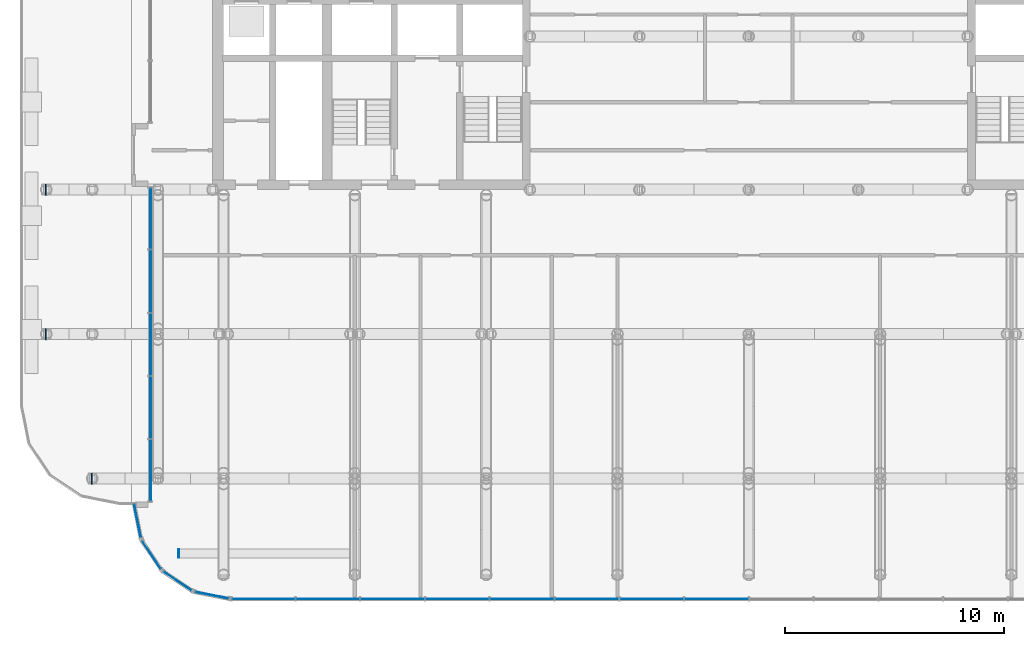
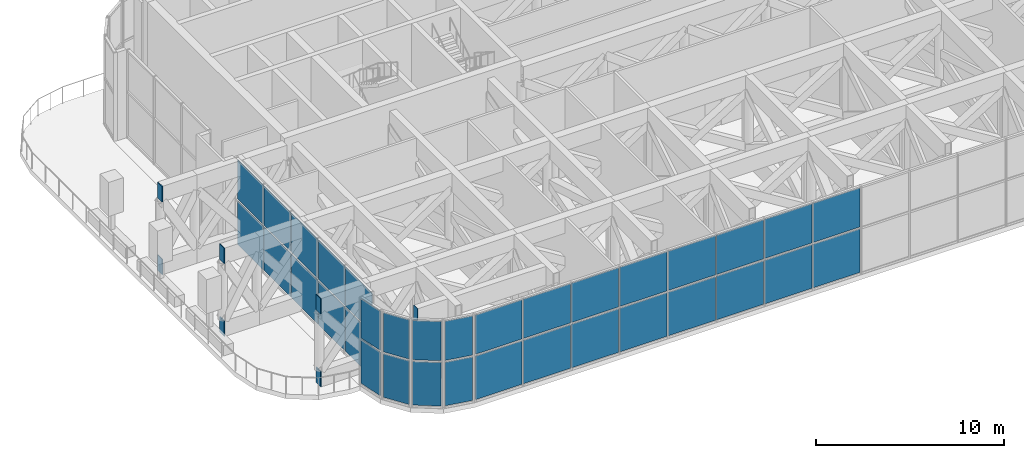
# One storey, part 11 of 25: 41 plates, 6 elements without a shape of their own.
"""IFC4 building model written with IfcOpenShell, lengths in metres."""

from ifc_helpers import new_model, si_unit, direction, frame, origin, origin_2d, place, context, subcontext, project, spatial, rectangle, extrude, material, layer, layer_set, type_object, element, aggregate, save


model = new_model("IFC4")

# Units and contexts
model_context = context("Model", 3, precision=1e-05, world=origin(), true_north=direction((0.0, 1.0)))
body_context = subcontext(model_context, "Body", "Model", "MODEL_VIEW")
ifc_project = project(units=[si_unit("LENGTHUNIT", "METRE"), si_unit("AREAUNIT", "SQUARE_METRE"), si_unit("VOLUMEUNIT", "CUBIC_METRE"), si_unit("PLANEANGLEUNIT", "RADIAN"), si_unit("MASSUNIT", "GRAM", prefix="KILO")], contexts=[model_context])

# Site, building, storey
site_placement = place(None, origin())
site = spatial("IfcSite", under=ifc_project, at=site_placement, CompositionType="ELEMENT")
building_placement = place(site_placement, origin())
building = spatial("IfcBuilding", under=site, at=building_placement, Name="Torana Hotel and Residences", CompositionType="ELEMENT")
storey_placement = place(building_placement, frame((0.0, 0.0, 106.800048828125)))
storey = spatial("IfcBuildingStorey", under=building, at=storey_placement, Name="L27", CompositionType="ELEMENT", Elevation=106.800048828125)

# Curtain wall, plates
ifc_material_1 = material(Name="Dark anodised aluminium", Category="aluminium")
ifc_layer_1 = layer(ifc_material_1, 0.199951171875)
ifc_layer_set_1 = layer_set([ifc_layer_1], Name="CW2 SKY LOBBY UNITISED CURTAIN WALL")
curtain_wall_type = type_object("IfcCurtainWallType", Name="CW2 SKY LOBBY UNITISED CURTAIN WALL", PredefinedType="NOTDEFINED", material=ifc_layer_set_1)
curtain_wall_1_placement = place(storey_placement, origin())
curtain_wall_1 = element("IfcCurtainWall", 1, at=curtain_wall_1_placement, inside=storey, type_object=curtain_wall_type, Name="Curtain wall CW2 L27 e0.9-2", PredefinedType="NOTDEFINED")
ifc_material_2 = material(Name="Glass dark tinted double glazed unit", Category="glass")
ifc_layer_2 = layer(ifc_material_2, 0.031982421875)
ifc_layer_set_2 = layer_set([ifc_layer_2], Name="CW2 DARK GLASS PANEL 32")
plate_type_1 = type_object("IfcPlateType", Name="CW2 DARK GLASS PANEL 32", PredefinedType="CURTAIN_PANEL", material=ifc_layer_set_2)
plate_1_placement = place(storey_placement, frame((-27.330078125, -16.317626953125, 0.1201171875), z_axis=(0.0, 0.0, 1.0), x_axis=(0.0, -1.0, 0.0)))
plate_1 = element("IfcPlate", 2, at=plate_1_placement, type_object=plate_type_1, Name="CW2 panel 1.1", PredefinedType="CURTAIN_PANEL", context=body_context, shape_type="SweptSolid", body=[
    extrude(rectangle(XDim=2.7783203125, YDim=0.031982421875, at=origin_2d()), origin(), (0.0, 0.0, 1.0), 2.820068359375),
])
plate_2_placement = place(storey_placement, frame((-27.330078125, -16.317626953125, 3.059814453125), z_axis=(0.0, 0.0, 1.0), x_axis=(0.0, -1.0, 0.0)))
plate_2 = element("IfcPlate", 3, at=plate_2_placement, type_object=plate_type_1, Name="CW2 panel 1.2", PredefinedType="CURTAIN_PANEL", context=body_context, shape_type="SweptSolid", body=[
    extrude(rectangle(XDim=2.7783203125, YDim=0.031982421875, at=origin_2d()), origin(), (0.0, 0.0, 1.0), 2.5400390625),
])
plate_3_placement = place(storey_placement, frame((-27.330078125, -19.183349609375, 0.1201171875), z_axis=(0.0, 0.0, 1.0), x_axis=(0.0, -1.0, 0.0)))
plate_3 = element("IfcPlate", 4, at=plate_3_placement, type_object=plate_type_1, Name="CW2 panel 2.1", PredefinedType="CURTAIN_PANEL", context=body_context, shape_type="SweptSolid", body=[
    extrude(rectangle(XDim=2.8134765625, YDim=0.031982421875, at=origin_2d()), origin(), (0.0, 0.0, 1.0), 2.820068359375),
])
plate_4_placement = place(storey_placement, frame((-27.330078125, -19.183349609375, 3.059814453125), z_axis=(0.0, 0.0, 1.0), x_axis=(0.0, -1.0, 0.0)))
plate_4 = element("IfcPlate", 5, at=plate_4_placement, type_object=plate_type_1, Name="CW2 panel 2.2", PredefinedType="CURTAIN_PANEL", context=body_context, shape_type="SweptSolid", body=[
    extrude(rectangle(XDim=2.8134765625, YDim=0.031982421875, at=origin_2d()), origin(), (0.0, 0.0, 1.0), 2.5400390625),
])
plate_5_placement = place(storey_placement, frame((-27.330078125, -22.06689453125, 0.1201171875), z_axis=(0.0, 0.0, 1.0), x_axis=(0.0, -1.0, 0.0)))
plate_5 = element("IfcPlate", 6, at=plate_5_placement, type_object=plate_type_1, Name="CW2 panel 3.1", PredefinedType="CURTAIN_PANEL", context=body_context, shape_type="SweptSolid", body=[
    extrude(rectangle(XDim=2.8134765625, YDim=0.031982421875, at=origin_2d()), origin(), (0.0, 0.0, 1.0), 2.820068359375),
])
plate_6_placement = place(storey_placement, frame((-27.330078125, -22.06689453125, 3.059814453125), z_axis=(0.0, 0.0, 1.0), x_axis=(0.0, -1.0, 0.0)))
plate_6 = element("IfcPlate", 7, at=plate_6_placement, type_object=plate_type_1, Name="CW2 panel 3.2", PredefinedType="CURTAIN_PANEL", context=body_context, shape_type="SweptSolid", body=[
    extrude(rectangle(XDim=2.8134765625, YDim=0.031982421875, at=origin_2d()), origin(), (0.0, 0.0, 1.0), 2.5400390625),
])
plate_7_placement = place(storey_placement, frame((-27.330078125, -24.9501953125, 0.1201171875), z_axis=(0.0, 0.0, 1.0), x_axis=(0.0, -1.0, 0.0)))
plate_7 = element("IfcPlate", 8, at=plate_7_placement, type_object=plate_type_1, Name="CW2 panel 4.1", PredefinedType="CURTAIN_PANEL", context=body_context, shape_type="SweptSolid", body=[
    extrude(rectangle(XDim=2.8134765625, YDim=0.031982421875, at=origin_2d()), origin(), (0.0, 0.0, 1.0), 2.820068359375),
])
plate_8_placement = place(storey_placement, frame((-27.330078125, -24.9501953125, 3.059814453125), z_axis=(0.0, 0.0, 1.0), x_axis=(0.0, -1.0, 0.0)))
plate_8 = element("IfcPlate", 9, at=plate_8_placement, type_object=plate_type_1, Name="CW2 panel 4.2", PredefinedType="CURTAIN_PANEL", context=body_context, shape_type="SweptSolid", body=[
    extrude(rectangle(XDim=2.8134765625, YDim=0.031982421875, at=origin_2d()), origin(), (0.0, 0.0, 1.0), 2.5400390625),
])
plate_9_placement = place(storey_placement, frame((-27.330078125, -27.816162109375, 0.1201171875), z_axis=(0.0, 0.0, 1.0), x_axis=(0.0, -1.0, 0.0)))
plate_9 = element("IfcPlate", 10, at=plate_9_placement, type_object=plate_type_1, Name="CW2 panel 5.1", PredefinedType="CURTAIN_PANEL", context=body_context, shape_type="SweptSolid", body=[
    extrude(rectangle(XDim=2.7783203125, YDim=0.031982421875, at=origin_2d()), origin(), (0.0, 0.0, 1.0), 2.820068359375),
])
plate_10_placement = place(storey_placement, frame((-27.330078125, -27.816162109375, 3.059814453125), z_axis=(0.0, 0.0, 1.0), x_axis=(0.0, -1.0, 0.0)))
plate_10 = element("IfcPlate", 11, at=plate_10_placement, type_object=plate_type_1, Name="CW2 panel 5.2", PredefinedType="CURTAIN_PANEL", context=body_context, shape_type="SweptSolid", body=[
    extrude(rectangle(XDim=2.7783203125, YDim=0.031982421875, at=origin_2d()), origin(), (0.0, 0.0, 1.0), 2.5400390625),
])
aggregate(curtain_wall_1, [plate_1, plate_2, plate_3, plate_4, plate_5, plate_6, plate_7, plate_8, plate_9, plate_10])

curtain_wall_2_placement = place(storey_placement, origin())
curtain_wall_2 = element("IfcCurtainWall", 12, at=curtain_wall_2_placement, inside=storey, type_object=curtain_wall_type, Name="Curtain wall CW2 L27 e0.10-1", PredefinedType="NOTDEFINED")
plate_11_placement = place(storey_placement, frame((-27.93310546875, -30.129150390625, 0.1201171875), z_axis=(0.0, 0.0, 1.0), x_axis=(0.195063848566, -0.980790545928, 0.0)))
plate_11 = element("IfcPlate", 13, at=plate_11_placement, type_object=plate_type_1, Name="CW2 panel 1.1", PredefinedType="CURTAIN_PANEL", context=body_context, shape_type="SweptSolid", body=[
    extrude(rectangle(XDim=1.54150390625, YDim=0.031982421875, at=origin_2d()), origin(), (0.0, 0.0, 1.0), 2.820068359375),
])
plate_12_placement = place(storey_placement, frame((-27.93310546875, -30.129150390625, 3.059814453125), z_axis=(0.0, 0.0, 1.0), x_axis=(0.195063848566, -0.980790545928, 0.0)))
plate_12 = element("IfcPlate", 14, at=plate_12_placement, type_object=plate_type_1, Name="CW2 panel 1.2", PredefinedType="CURTAIN_PANEL", context=body_context, shape_type="SweptSolid", body=[
    extrude(rectangle(XDim=1.54150390625, YDim=0.031982421875, at=origin_2d()), origin(), (0.0, 0.0, 1.0), 2.5400390625),
])
aggregate(curtain_wall_2, [plate_11, plate_12])

curtain_wall_3_placement = place(storey_placement, origin())
curtain_wall_3 = element("IfcCurtainWall", 15, at=curtain_wall_3_placement, inside=storey, type_object=curtain_wall_type, Name="Curtain wall CW2 L27 e0.11-1", PredefinedType="NOTDEFINED")
plate_13_placement = place(storey_placement, frame((-27.28662109375, -31.696533203125, 0.1201171875), z_axis=(0.0, 0.0, 1.0), x_axis=(0.555563713278, -0.831473968618, 0.0)))
plate_13 = element("IfcPlate", 16, at=plate_13_placement, type_object=plate_type_1, Name="CW2 panel 1.1", PredefinedType="CURTAIN_PANEL", context=body_context, shape_type="SweptSolid", body=[
    extrude(rectangle(XDim=1.516357421875, YDim=0.031982421875, at=origin_2d()), origin(), (0.0, 0.0, 1.0), 2.820068359375),
])
plate_14_placement = place(storey_placement, frame((-27.28662109375, -31.696533203125, 3.059814453125), z_axis=(0.0, 0.0, 1.0), x_axis=(0.555563713278, -0.831473968618, 0.0)))
plate_14 = element("IfcPlate", 17, at=plate_14_placement, type_object=plate_type_1, Name="CW2 panel 1.2", PredefinedType="CURTAIN_PANEL", context=body_context, shape_type="SweptSolid", body=[
    extrude(rectangle(XDim=1.516357421875, YDim=0.031982421875, at=origin_2d()), origin(), (0.0, 0.0, 1.0), 2.5400390625),
])
aggregate(curtain_wall_3, [plate_13, plate_14])

curtain_wall_4_placement = place(storey_placement, origin())
curtain_wall_4 = element("IfcCurtainWall", 18, at=curtain_wall_4_placement, inside=storey, type_object=curtain_wall_type, Name="Curtain wall CW2 L27 e0.12-1", PredefinedType="NOTDEFINED")
plate_15_placement = place(storey_placement, frame((-26.096435546875, -32.88671875, 0.1201171875), z_axis=(0.0, 0.0, 1.0), x_axis=(0.831473968618, -0.555563713278, 0.0)))
plate_15 = element("IfcPlate", 19, at=plate_15_placement, type_object=plate_type_1, Name="CW2 panel 1.1", PredefinedType="CURTAIN_PANEL", context=body_context, shape_type="SweptSolid", body=[
    extrude(rectangle(XDim=1.516357421875, YDim=0.031982421875, at=origin_2d()), origin(), (0.0, 0.0, 1.0), 2.820068359375),
])
plate_16_placement = place(storey_placement, frame((-26.096435546875, -32.88671875, 3.059814453125), z_axis=(0.0, 0.0, 1.0), x_axis=(0.831473968618, -0.555563713278, 0.0)))
plate_16 = element("IfcPlate", 20, at=plate_16_placement, type_object=plate_type_1, Name="CW2 panel 1.2", PredefinedType="CURTAIN_PANEL", context=body_context, shape_type="SweptSolid", body=[
    extrude(rectangle(XDim=1.516357421875, YDim=0.031982421875, at=origin_2d()), origin(), (0.0, 0.0, 1.0), 2.5400390625),
])
aggregate(curtain_wall_4, [plate_15, plate_16])

curtain_wall_5_placement = place(storey_placement, origin())
curtain_wall_5 = element("IfcCurtainWall", 21, at=curtain_wall_5_placement, inside=storey, type_object=curtain_wall_type, Name="Curtain wall CW2 L27 e0.13-1", PredefinedType="NOTDEFINED")
plate_17_placement = place(storey_placement, frame((-24.529296875, -33.533203125, 0.1201171875), z_axis=(0.0, 0.0, 1.0), x_axis=(0.980790545928, -0.195063848566, 0.0)))
plate_17 = element("IfcPlate", 22, at=plate_17_placement, type_object=plate_type_1, Name="CW2 panel 1.1", PredefinedType="CURTAIN_PANEL", context=body_context, shape_type="SweptSolid", body=[
    extrude(rectangle(XDim=1.54150390625, YDim=0.031982421875, at=origin_2d()), origin(), (0.0, 0.0, 1.0), 2.820068359375),
])
plate_18_placement = place(storey_placement, frame((-24.529296875, -33.533203125, 3.059814453125), z_axis=(0.0, 0.0, 1.0), x_axis=(0.980790545928, -0.195063848566, 0.0)))
plate_18 = element("IfcPlate", 23, at=plate_18_placement, type_object=plate_type_1, Name="CW2 panel 1.2", PredefinedType="CURTAIN_PANEL", context=body_context, shape_type="SweptSolid", body=[
    extrude(rectangle(XDim=1.54150390625, YDim=0.031982421875, at=origin_2d()), origin(), (0.0, 0.0, 1.0), 2.5400390625),
])
aggregate(curtain_wall_5, [plate_17, plate_18])

curtain_wall_6_placement = place(storey_placement, origin())
curtain_wall_6 = element("IfcCurtainWall", 24, at=curtain_wall_6_placement, inside=storey, type_object=curtain_wall_type, Name="Curtain wall CW2 L27 e0.14-1", PredefinedType="NOTDEFINED")
plate_19_placement = place(storey_placement, frame((-22.17822265625, -33.699951171875, 0.1201171875), z_axis=(0.0, 0.0, 1.0), x_axis=(1.0, 0.0, 0.0)))
plate_19 = element("IfcPlate", 25, at=plate_19_placement, type_object=plate_type_1, Name="CW2 panel 1.1", PredefinedType="CURTAIN_PANEL", context=body_context, shape_type="SweptSolid", body=[
    extrude(rectangle(XDim=2.8544921875, YDim=0.031982421875, at=origin_2d()), origin(), (0.0, 0.0, 1.0), 2.820068359375),
])
plate_20_placement = place(storey_placement, frame((-22.17822265625, -33.699951171875, 3.059814453125), z_axis=(0.0, 0.0, 1.0), x_axis=(1.0, 0.0, 0.0)))
plate_20 = element("IfcPlate", 26, at=plate_20_placement, type_object=plate_type_1, Name="CW2 panel 1.2", PredefinedType="CURTAIN_PANEL", context=body_context, shape_type="SweptSolid", body=[
    extrude(rectangle(XDim=2.8544921875, YDim=0.031982421875, at=origin_2d()), origin(), (0.0, 0.0, 1.0), 2.5400390625),
])
plate_21_placement = place(storey_placement, frame((-19.236328125, -33.699951171875, 0.1201171875), z_axis=(0.0, 0.0, 1.0), x_axis=(1.0, 0.0, 0.0)))
plate_21 = element("IfcPlate", 27, at=plate_21_placement, type_object=plate_type_1, Name="CW2 panel 2.1", PredefinedType="CURTAIN_PANEL", context=body_context, shape_type="SweptSolid", body=[
    extrude(rectangle(XDim=2.889404296875, YDim=0.031982421875, at=origin_2d()), origin(), (0.0, 0.0, 1.0), 2.820068359375),
])
plate_22_placement = place(storey_placement, frame((-19.236328125, -33.699951171875, 3.059814453125), z_axis=(0.0, 0.0, 1.0), x_axis=(1.0, 0.0, 0.0)))
plate_22 = element("IfcPlate", 28, at=plate_22_placement, type_object=plate_type_1, Name="CW2 panel 2.2", PredefinedType="CURTAIN_PANEL", context=body_context, shape_type="SweptSolid", body=[
    extrude(rectangle(XDim=2.889404296875, YDim=0.031982421875, at=origin_2d()), origin(), (0.0, 0.0, 1.0), 2.5400390625),
])
plate_23_placement = place(storey_placement, frame((-16.27685546875, -33.699951171875, 0.1201171875), z_axis=(0.0, 0.0, 1.0), x_axis=(1.0, 0.0, 0.0)))
plate_23 = element("IfcPlate", 29, at=plate_23_placement, type_object=plate_type_1, Name="CW2 panel 3.1", PredefinedType="CURTAIN_PANEL", context=body_context, shape_type="SweptSolid", body=[
    extrude(rectangle(XDim=2.889404296875, YDim=0.031982421875, at=origin_2d()), origin(), (0.0, 0.0, 1.0), 2.820068359375),
])
plate_24_placement = place(storey_placement, frame((-16.27685546875, -33.699951171875, 3.059814453125), z_axis=(0.0, 0.0, 1.0), x_axis=(1.0, 0.0, 0.0)))
plate_24 = element("IfcPlate", 30, at=plate_24_placement, type_object=plate_type_1, Name="CW2 panel 3.2", PredefinedType="CURTAIN_PANEL", context=body_context, shape_type="SweptSolid", body=[
    extrude(rectangle(XDim=2.889404296875, YDim=0.031982421875, at=origin_2d()), origin(), (0.0, 0.0, 1.0), 2.5400390625),
])
plate_25_placement = place(storey_placement, frame((-13.3173828125, -33.699951171875, 0.1201171875), z_axis=(0.0, 0.0, 1.0), x_axis=(1.0, 0.0, 0.0)))
plate_25 = element("IfcPlate", 31, at=plate_25_placement, type_object=plate_type_1, Name="CW2 panel 4.1", PredefinedType="CURTAIN_PANEL", context=body_context, shape_type="SweptSolid", body=[
    extrude(rectangle(XDim=2.889404296875, YDim=0.031982421875, at=origin_2d()), origin(), (0.0, 0.0, 1.0), 2.820068359375),
])
plate_26_placement = place(storey_placement, frame((-13.3173828125, -33.699951171875, 3.059814453125), z_axis=(0.0, 0.0, 1.0), x_axis=(1.0, 0.0, 0.0)))
plate_26 = element("IfcPlate", 32, at=plate_26_placement, type_object=plate_type_1, Name="CW2 panel 4.2", PredefinedType="CURTAIN_PANEL", context=body_context, shape_type="SweptSolid", body=[
    extrude(rectangle(XDim=2.889404296875, YDim=0.031982421875, at=origin_2d()), origin(), (0.0, 0.0, 1.0), 2.5400390625),
])
plate_27_placement = place(storey_placement, frame((-10.35791015625, -33.699951171875, 0.1201171875), z_axis=(0.0, 0.0, 1.0), x_axis=(1.0, 0.0, 0.0)))
plate_27 = element("IfcPlate", 33, at=plate_27_placement, type_object=plate_type_1, Name="CW2 panel 5.1", PredefinedType="CURTAIN_PANEL", context=body_context, shape_type="SweptSolid", body=[
    extrude(rectangle(XDim=2.889404296875, YDim=0.031982421875, at=origin_2d()), origin(), (0.0, 0.0, 1.0), 2.820068359375),
])
plate_28_placement = place(storey_placement, frame((-10.35791015625, -33.699951171875, 3.059814453125), z_axis=(0.0, 0.0, 1.0), x_axis=(1.0, 0.0, 0.0)))
plate_28 = element("IfcPlate", 34, at=plate_28_placement, type_object=plate_type_1, Name="CW2 panel 5.2", PredefinedType="CURTAIN_PANEL", context=body_context, shape_type="SweptSolid", body=[
    extrude(rectangle(XDim=2.889404296875, YDim=0.031982421875, at=origin_2d()), origin(), (0.0, 0.0, 1.0), 2.5400390625),
])
plate_29_placement = place(storey_placement, frame((-7.398681640625, -33.699951171875, 0.1201171875), z_axis=(0.0, 0.0, 1.0), x_axis=(1.0, 0.0, 0.0)))
plate_29 = element("IfcPlate", 35, at=plate_29_placement, type_object=plate_type_1, Name="CW2 panel 6.1", PredefinedType="CURTAIN_PANEL", context=body_context, shape_type="SweptSolid", body=[
    extrude(rectangle(XDim=2.889404296875, YDim=0.031982421875, at=origin_2d()), origin(), (0.0, 0.0, 1.0), 2.820068359375),
])
plate_30_placement = place(storey_placement, frame((-7.398681640625, -33.699951171875, 3.059814453125), z_axis=(0.0, 0.0, 1.0), x_axis=(1.0, 0.0, 0.0)))
plate_30 = element("IfcPlate", 36, at=plate_30_placement, type_object=plate_type_1, Name="CW2 panel 6.2", PredefinedType="CURTAIN_PANEL", context=body_context, shape_type="SweptSolid", body=[
    extrude(rectangle(XDim=2.889404296875, YDim=0.031982421875, at=origin_2d()), origin(), (0.0, 0.0, 1.0), 2.5400390625),
])
plate_31_placement = place(storey_placement, frame((-4.439208984375, -33.699951171875, 0.1201171875), z_axis=(0.0, 0.0, 1.0), x_axis=(1.0, 0.0, 0.0)))
plate_31 = element("IfcPlate", 37, at=plate_31_placement, type_object=plate_type_1, Name="CW2 panel 7.1", PredefinedType="CURTAIN_PANEL", context=body_context, shape_type="SweptSolid", body=[
    extrude(rectangle(XDim=2.889404296875, YDim=0.031982421875, at=origin_2d()), origin(), (0.0, 0.0, 1.0), 2.820068359375),
])
plate_32_placement = place(storey_placement, frame((-4.439208984375, -33.699951171875, 3.059814453125), z_axis=(0.0, 0.0, 1.0), x_axis=(1.0, 0.0, 0.0)))
plate_32 = element("IfcPlate", 38, at=plate_32_placement, type_object=plate_type_1, Name="CW2 panel 7.2", PredefinedType="CURTAIN_PANEL", context=body_context, shape_type="SweptSolid", body=[
    extrude(rectangle(XDim=2.889404296875, YDim=0.031982421875, at=origin_2d()), origin(), (0.0, 0.0, 1.0), 2.5400390625),
])
plate_33_placement = place(storey_placement, frame((-1.479736328125, -33.699951171875, 0.1201171875), z_axis=(0.0, 0.0, 1.0), x_axis=(1.0, 0.0, 0.0)))
plate_33 = element("IfcPlate", 39, at=plate_33_placement, type_object=plate_type_1, Name="CW2 panel 8.1", PredefinedType="CURTAIN_PANEL", context=body_context, shape_type="SweptSolid", body=[
    extrude(rectangle(XDim=2.889404296875, YDim=0.031982421875, at=origin_2d()), origin(), (0.0, 0.0, 1.0), 2.820068359375),
])
plate_34_placement = place(storey_placement, frame((-1.479736328125, -33.699951171875, 3.059814453125), z_axis=(0.0, 0.0, 1.0), x_axis=(1.0, 0.0, 0.0)))
plate_34 = element("IfcPlate", 40, at=plate_34_placement, type_object=plate_type_1, Name="CW2 panel 8.2", PredefinedType="CURTAIN_PANEL", context=body_context, shape_type="SweptSolid", body=[
    extrude(rectangle(XDim=2.889404296875, YDim=0.031982421875, at=origin_2d()), origin(), (0.0, 0.0, 1.0), 2.5400390625),
])
aggregate(curtain_wall_6, [plate_19, plate_20, plate_21, plate_22, plate_23, plate_24, plate_25, plate_26, plate_27, plate_28, plate_29, plate_30, plate_31, plate_32, plate_33, plate_34])

# Plates
ifc_material_3 = material(Name="Steel S355", Category="steel")
ifc_layer_3 = layer(ifc_material_3, 0.0400390625)
ifc_layer_set_3 = layer_set([ifc_layer_3], Name="STEEL END PLATE 40")
plate_type_2 = type_object("IfcPlateType", Name="STEEL END PLATE 40", PredefinedType="SHEET", material=ifc_layer_set_3)
plate_35_placement = place(storey_placement, frame((-26.050048828125, -31.6298828125, 4.52001953125), z_axis=(0.0, 0.0, 1.0), x_axis=(-1.0, 0.0, 0.0)))
element("IfcPlate", 41, at=plate_35_placement, inside=storey, type_object=plate_type_2, Name="End plate L27", PredefinedType="SHEET", context=body_context, shape_type="SweptSolid", body=[
    extrude(rectangle(XDim=0.0400390625, YDim=0.39990234375, at=origin_2d()), origin(), (0.0, 0.0, 1.0), 1.199951171875),
])
ifc_material_4 = material(Name="Steel S355", Category="steel")
ifc_layer_4 = layer(ifc_material_4, 0.050048828125)
ifc_layer_set_4 = layer_set([ifc_layer_4], Name="STEEL END PLATE 50")
plate_type_3 = type_object("IfcPlateType", Name="STEEL END PLATE 50", PredefinedType="SHEET", material=ifc_layer_set_4)
for number, where, z_axis, x_axis, name in (
    (42, (-30.02490234375, -28.199951171875, 0.0), (0.0, 0.0, 1.0), (-1.0, 0.0, 0.0), "End plate L27"),
    (43, (-30.02490234375, -28.199951171875, 4.719970703125), (0.0, 0.0, 1.0), (-1.0, 0.0, 0.0), "End plate L27"),
    (44, (-32.125, -21.60009765625, 0.0), (0.0, 0.0, 1.0), (-1.0, 0.0, 0.0), "End plate L27"),
    (45, (-32.125, -21.60009765625, 4.719970703125), (0.0, 0.0, 1.0), (-1.0, 0.0, 0.0), "End plate L27"),
    (46, (-32.125, -15.0, 0.0), (0.0, 0.0, 1.0), (-1.0, 0.0, 0.0), "End plate L27"),
    (47, (-32.125, -15.0, 4.719970703125), (0.0, 0.0, 1.0), (-1.0, 0.0, 0.0), "End plate L27"),
):
    element("IfcPlate", number, at=place(storey_placement, frame(where, z_axis=z_axis, x_axis=x_axis)), inside=storey, type_object=plate_type_3, Name=name, PredefinedType="SHEET", context=body_context, shape_type="SweptSolid", body=[
        extrude(rectangle(XDim=0.050048828125, YDim=0.5, at=origin_2d()), origin(), (0.0, 0.0, 1.0), 1.0),
    ])

save(model, "model.ifc")
